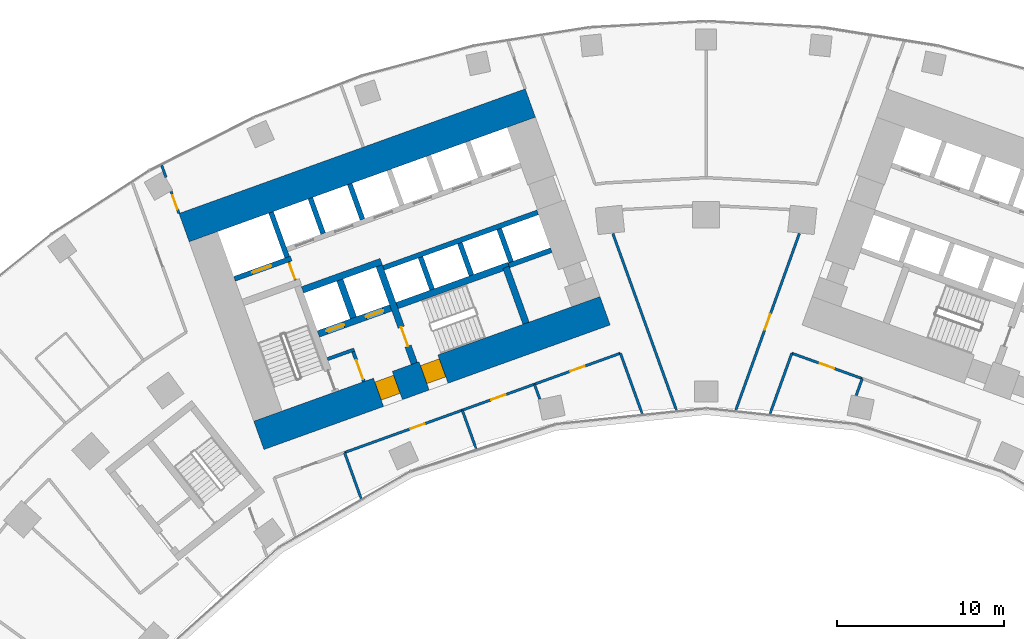
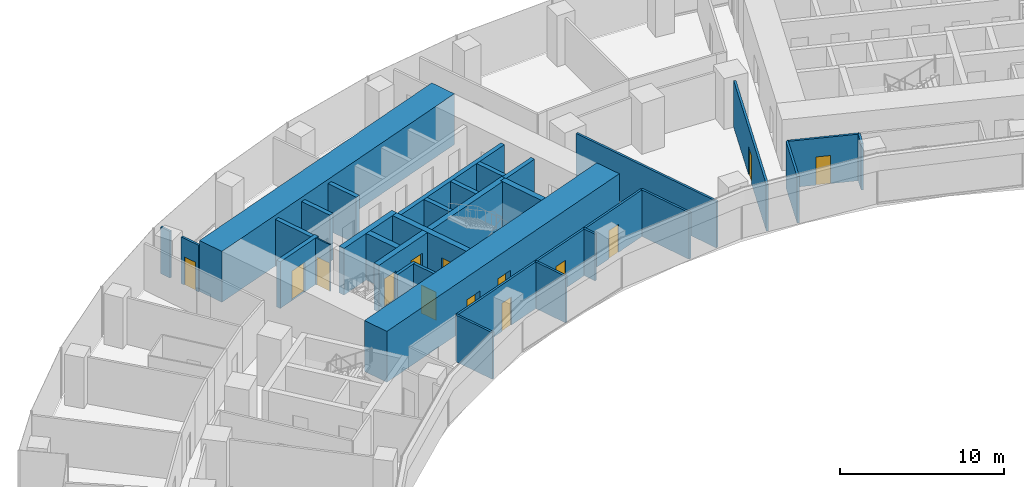
# One storey, part 15 of 21: 33 walls, 14 doors, 14 openings.
"""IFC4 building model written with IfcOpenShell, lengths in metres."""

from ifc_helpers import new_model, si_unit, direction, frame, frame_2d, origin, place, context, subcontext, project, spatial, rectangle, extrude, material, layer, layer_set, type_object, element, fill, save


model = new_model("IFC4")

# Units and contexts
model_context = context("Model", 3, precision=1e-05, world=origin(), true_north=direction((0.0, 1.0)))
body_context = subcontext(model_context, "Body", "Model", "MODEL_VIEW")
ifc_project = project(units=[si_unit("LENGTHUNIT", "METRE"), si_unit("AREAUNIT", "SQUARE_METRE"), si_unit("VOLUMEUNIT", "CUBIC_METRE"), si_unit("PLANEANGLEUNIT", "RADIAN"), si_unit("MASSUNIT", "GRAM", prefix="KILO")], contexts=[model_context])

# Site, building, storey
site_placement = place(None, origin())
site = spatial("IfcSite", under=ifc_project, at=site_placement, CompositionType="ELEMENT")
building_placement = place(site_placement, origin())
building = spatial("IfcBuilding", under=site, at=building_placement, Name="Stone Belt Terrace Tower", CompositionType="ELEMENT")
storey_placement = place(building_placement, frame((0.0, 0.0, 56.60009765625)))
storey = spatial("IfcBuildingStorey", under=building, at=storey_placement, Name="L13", CompositionType="ELEMENT", Elevation=56.60009765625)

# Wall, opening, door
ifc_material_1 = material(Name="Plasterboard partition")
ifc_layer_1 = layer(ifc_material_1, 0.10009765625)
ifc_layer_set_1 = layer_set([ifc_layer_1], Name="Core partition 100")
wall_type_1 = type_object("IfcWallType", Name="Core partition 100", PredefinedType="PARTITIONING", material=ifc_layer_set_1)
wall_1_placement = place(storey_placement, frame((-24.555908203125, 51.10400390625, 0.0), z_axis=(0.0, 0.0, 1.0), x_axis=(-0.338621735342, 0.94092258999, 0.0)))
wall_1 = element("IfcWall", 1, at=wall_1_placement, inside=storey, type_object=wall_type_1, Name="Core A wall", PredefinedType="PARTITIONING", context=body_context, shape_type="SweptSolid", body=[
    extrude(rectangle(XDim=1.14990234375, YDim=0.10009765625, at=frame_2d((0.574951171875, 0.0))), origin(), (0.0, 0.0, 1.0), 3.47998046875),
])
opening_1_placement = place(wall_1_placement, frame((0.050048828125, 0.0, 0.0)))
opening_1 = element("IfcOpeningElement", 2, at=opening_1_placement, cuts=wall_1, Name="Opening L13-C01", PredefinedType="OPENING", context=body_context, shape_type="SweptSolid", body=[
    extrude(rectangle(XDim=1.0, YDim=2.10009765625, at=frame_2d((0.5, 1.050048828125))), frame((0.0, 0.06005859375, 0.0), z_axis=(0.0, -1.0, 0.0), x_axis=(1.0, 0.0, 0.0)), (0.0, 0.0, 1.0), 0.1201171875),
])
ifc_material_2 = material(Name="Timber door leaf", Category="wood")
door_type_1 = type_object("IfcDoorType", Name="Core room door 1000", OperationType="SINGLE_SWING_LEFT", PredefinedType="DOOR", material=ifc_material_2)
door_1_placement = place(opening_1_placement, origin())
door_1 = element("IfcDoor", 3, at=door_1_placement, inside=storey, type_object=door_type_1, Name="Service lift lobby door core A", OperationType="SINGLE_SWING_LEFT", OverallHeight=2.10009765625, OverallWidth=1.0, PredefinedType="DOOR", context=body_context, shape_type="SweptSolid", body=[
    extrude(rectangle(XDim=1.0, YDim=2.10009765625, at=frame_2d((0.5, 1.050048828125))), frame((0.0, 0.02490234375, 0.0), z_axis=(0.0, -1.0, 0.0), x_axis=(1.0, 0.0, 0.0)), (0.0, 0.0, 1.0), 0.050048828125),
])
fill(opening_1, door_1)

# Wall, openings, doors
ifc_material_3 = material(Name="Concrete B80", Category="concrete")
ifc_layer_2 = layer(ifc_material_3, 1.800048828125)
ifc_layer_set_2 = layer_set([ifc_layer_2], Name="Core wall 1800 B80")
wall_type_2 = type_object("IfcWallType", Name="Core wall 1800 B80", PredefinedType="SHEAR", material=ifc_layer_set_2)
wall_2_placement = place(storey_placement, frame((-26.739501953125, 41.815673828125, 0.0), z_axis=(0.0, 0.0, 1.0), x_axis=(0.940921642213, 0.338624368902, 0.0)))
wall_2 = element("IfcWall", 4, at=wall_2_placement, inside=storey, type_object=wall_type_2, Name="Core A wall concave L13", PredefinedType="SHEAR", context=body_context, shape_type="SweptSolid", body=[
    extrude(rectangle(XDim=22.0, YDim=1.800048828125, at=frame_2d((11.0, 0.0))), origin(), (0.0, 0.0, 1.0), 3.7998046875),
])
opening_2_placement = place(wall_2_placement, frame((7.60009765625, 0.0, 0.0)))
opening_2 = element("IfcOpeningElement", 5, at=opening_2_placement, cuts=wall_2, Name="Opening L13-C05", PredefinedType="OPENING", context=body_context, shape_type="SweptSolid", body=[
    extrude(rectangle(XDim=1.199951171875, YDim=2.10009765625, at=frame_2d((0.60009765625, 1.050048828125))), frame((0.0, 0.909912109375, 0.0), z_axis=(0.0, -1.0, 0.0), x_axis=(1.0, 0.0, 0.0)), (0.0, 0.0, 1.0), 1.820068359375),
])
opening_3_placement = place(wall_2_placement, frame((10.5, 0.0, 0.0)))
opening_3 = element("IfcOpeningElement", 6, at=opening_3_placement, cuts=wall_2, Name="Opening L13-C07", PredefinedType="OPENING", context=body_context, shape_type="SweptSolid", body=[
    extrude(rectangle(XDim=1.199951171875, YDim=2.10009765625, at=frame_2d((0.60009765625, 1.050048828125))), frame((0.0, 0.909912109375, 0.0), z_axis=(0.0, -1.0, 0.0), x_axis=(1.0, 0.0, 0.0)), (0.0, 0.0, 1.0), 1.820068359375),
])
ifc_material_4 = material(Name="Steel door leaf", Category="steel")
door_type_2 = type_object("IfcDoorType", Name="Fire-fighting lobby door 1200", OperationType="SINGLE_SWING_LEFT", PredefinedType="DOOR", material=ifc_material_4)
door_2_placement = place(opening_2_placement, origin())
door_2 = element("IfcDoor", 7, at=door_2_placement, inside=storey, type_object=door_type_2, Name="Fire-fighting lobby door core A", OperationType="SINGLE_SWING_LEFT", OverallHeight=2.10009765625, OverallWidth=1.199951171875, PredefinedType="DOOR", context=body_context, shape_type="SweptSolid", body=[
    extrude(rectangle(XDim=1.199951171875, YDim=2.10009765625, at=frame_2d((0.60009765625, 1.050048828125))), frame((0.0, 0.655029296875, 0.0), z_axis=(0.0, -1.0, 0.0), x_axis=(1.0, 0.0, 0.0)), (0.0, 0.0, 1.0), 1.14990234375),
])
fill(opening_2, door_2)
door_type_3 = type_object("IfcDoorType", Name="Stair door 1200", OperationType="SINGLE_SWING_LEFT", PredefinedType="DOOR", material=ifc_material_4)
door_3_placement = place(opening_3_placement, origin())
door_3 = element("IfcDoor", 8, at=door_3_placement, inside=storey, type_object=door_type_3, Name="Stair 2 exit door core A", OperationType="SINGLE_SWING_RIGHT", OverallHeight=2.10009765625, OverallWidth=1.199951171875, PredefinedType="DOOR", context=body_context, shape_type="SweptSolid", body=[
    extrude(rectangle(XDim=1.199951171875, YDim=2.10009765625, at=frame_2d((0.60009765625, 1.050048828125))), frame((0.0, 0.655029296875, 0.0), z_axis=(0.0, -1.0, 0.0), x_axis=(1.0, 0.0, 0.0)), (0.0, 0.0, 1.0), 1.14990234375),
])
fill(opening_3, door_3)

# Walls
wall_3_placement = place(storey_placement, frame((-31.20947265625, 54.23583984375, 0.0), z_axis=(0.0, 0.0, 1.0), x_axis=(0.940922914687, 0.338620833112, 0.0)))
element("IfcWall", 9, at=wall_3_placement, inside=storey, type_object=wall_type_2, Name="Core A wall convex L13", PredefinedType="SHEAR", context=body_context, shape_type="SweptSolid", body=[
    extrude(rectangle(XDim=22.000244140625, YDim=1.800048828125, at=frame_2d((11.0, 0.0))), origin(), (0.0, 0.0, 1.0), 3.7998046875),
])
ifc_layer_3 = layer(ifc_material_3, 0.39990234375)
ifc_layer_set_3 = layer_set([ifc_layer_3], Name="Fire-fighting lift shaft wall 400")
wall_type_3 = type_object("IfcWallType", Name="Fire-fighting lift shaft wall 400", PredefinedType="SHEAR", material=ifc_layer_set_3)
wall_4_placement = place(storey_placement, frame((-24.130615234375, 50.512939453125, 0.0), z_axis=(0.0, 0.0, 1.0), x_axis=(0.94091168377, 0.338652038744, 0.0)))
element("IfcWall", 10, at=wall_4_placement, inside=storey, type_object=wall_type_3, Name="Core A wall", PredefinedType="SHEAR", context=body_context, shape_type="SweptSolid", body=[
    extrude(rectangle(XDim=5.000244140625, YDim=0.39990234375, at=frame_2d((2.5, 0.0))), origin(), (0.0, 0.0, 1.0), 3.47998046875),
])
wall_5_placement = place(storey_placement, frame((-21.0859375, 48.845458984375, 0.0), z_axis=(0.0, 0.0, 1.0), x_axis=(-0.338629416206, 0.940919825745, 0.0)))
element("IfcWall", 11, at=wall_5_placement, inside=storey, type_object=wall_type_3, Name="Core A wall", PredefinedType="SHEAR", context=body_context, shape_type="SweptSolid", body=[
    extrude(rectangle(XDim=2.400146484375, YDim=0.39990234375, at=frame_2d((1.2001953125, 0.0))), origin(), (0.0, 0.0, 1.0), 3.47998046875),
])

# Wall, opening, door
ifc_layer_4 = layer(ifc_material_3, 0.300048828125)
ifc_layer_set_4 = layer_set([ifc_layer_4], Name="Lift shaft wall 300")
wall_type_4 = type_object("IfcWallType", Name="Lift shaft wall 300", PredefinedType="SHEAR", material=ifc_layer_set_4)
wall_6_placement = place(storey_placement, frame((-28.195068359375, 51.17578125, 0.0), z_axis=(0.0, 0.0, 1.0), x_axis=(0.940901243567, 0.338681044427, 0.0)))
wall_6 = element("IfcWall", 12, at=wall_6_placement, inside=storey, type_object=wall_type_4, Name="Core A wall", PredefinedType="SHEAR", context=body_context, shape_type="SweptSolid", body=[
    extrude(rectangle(XDim=3.599853515625, YDim=0.300048828125, at=frame_2d((1.7998046875, 0.0))), origin(), (0.0, 0.0, 1.0), 3.47998046875),
])
opening_4_placement = place(wall_6_placement, frame((1.1201171875, 0.0, 0.0)))
opening_4 = element("IfcOpeningElement", 13, at=opening_4_placement, cuts=wall_6, Name="Opening L13-LD09", PredefinedType="OPENING", context=body_context, shape_type="SweptSolid", body=[
    extrude(rectangle(XDim=1.199951171875, YDim=2.199951171875, at=frame_2d((0.60009765625, 1.10009765625))), frame((0.0, 0.159912109375, 0.0), z_axis=(0.0, -1.0, 0.0), x_axis=(1.0, 0.0, 0.0)), (0.0, 0.0, 1.0), 0.320068359375),
])
ifc_material_5 = material(Name="Stainless steel door leaf", Category="steel")
door_type_4 = type_object("IfcDoorType", Name="Landing door 1200", OperationType="SLIDING_TO_LEFT", PredefinedType="DOOR", material=ifc_material_5)
door_4_placement = place(opening_4_placement, origin())
door_4 = element("IfcDoor", 14, at=door_4_placement, inside=storey, type_object=door_type_4, Name="Landing door SV1 core A", OperationType="SLIDING_TO_LEFT", OverallHeight=2.199951171875, OverallWidth=1.199951171875, PredefinedType="DOOR", context=body_context, shape_type="SweptSolid", body=[
    extrude(rectangle(XDim=1.199951171875, YDim=2.199951171875, at=frame_2d((0.60009765625, 1.10009765625))), frame((0.0, 0.02490234375, 0.0), z_axis=(0.0, -1.0, 0.0), x_axis=(1.0, 0.0, 0.0)), (0.0, 0.0, 1.0), 0.050048828125),
])
fill(opening_4, door_4)

# Walls
wall_7_placement = place(storey_placement, frame((-25.046875, 52.46826171875, 0.0), z_axis=(0.0, 0.0, 1.0), x_axis=(-0.338549588058, 0.940948551423, 0.0)))
element("IfcWall", 15, at=wall_7_placement, inside=storey, type_object=wall_type_4, Name="Core A wall", PredefinedType="SHEAR", context=body_context, shape_type="SweptSolid", body=[
    extrude(rectangle(XDim=2.849853515625, YDim=0.300048828125, at=frame_2d((1.4248046875, 0.0))), origin(), (0.0, 0.0, 1.0), 3.47998046875),
])
wall_8_placement = place(storey_placement, frame((-22.897705078125, 53.87939453125, 0.0), z_axis=(0.0, 0.0, 1.0), x_axis=(-0.338535034312, 0.940953787677, 0.0)))
element("IfcWall", 16, at=wall_8_placement, inside=storey, type_object=wall_type_4, Name="Core A wall", PredefinedType="SHEAR", context=body_context, shape_type="SweptSolid", body=[
    extrude(rectangle(XDim=2.25, YDim=0.300048828125, at=frame_2d((1.125, 0.0))), origin(), (0.0, 0.0, 1.0), 3.47998046875),
])
wall_9_placement = place(storey_placement, frame((-19.29052734375, 51.829833984375, 0.0), z_axis=(0.0, 0.0, 1.0), x_axis=(0.940925833398, 0.338612722803, 0.0)))
element("IfcWall", 17, at=wall_9_placement, inside=storey, type_object=wall_type_4, Name="Core A wall", PredefinedType="SHEAR", context=body_context, shape_type="SweptSolid", body=[
    extrude(rectangle(XDim=9.7998046875, YDim=0.300048828125, at=frame_2d((4.89990234375, 0.0))), origin(), (0.0, 0.0, 1.0), 3.47998046875),
])
wall_10_placement = place(storey_placement, frame((-20.54541015625, 54.72607421875, 0.0), z_axis=(0.0, 0.0, 1.0), x_axis=(-0.338569601369, 0.940941350472, 0.0)))
element("IfcWall", 18, at=wall_10_placement, inside=storey, type_object=wall_type_4, Name="Core A wall", PredefinedType="SHEAR", context=body_context, shape_type="SweptSolid", body=[
    extrude(rectangle(XDim=2.249755859375, YDim=0.300048828125, at=frame_2d((1.125, 0.0))), origin(), (0.0, 0.0, 1.0), 3.47998046875),
])
for number, where, z_axis, x_axis, name in (
    (19, (-16.38134765625, 50.53857421875, 0.0), (0.0, 0.0, 1.0), (-0.338681515556, 0.940901073982, 0.0), "Core A wall"),
    (20, (-14.029052734375, 51.38525390625, 0.0), (0.0, 0.0, 1.0), (-0.338681515556, 0.940901073982, 0.0), "Core A wall"),
):
    element("IfcWall", number, at=place(storey_placement, frame(where, z_axis=z_axis, x_axis=x_axis)), inside=storey, type_object=wall_type_4, Name=name, PredefinedType="SHEAR", context=body_context, shape_type="SweptSolid", body=[
        extrude(rectangle(XDim=2.050048828125, YDim=0.300048828125, at=frame_2d((1.02490234375, 0.0))), origin(), (0.0, 0.0, 1.0), 3.47998046875),
    ])
wall_11_placement = place(storey_placement, frame((-11.797119140625, 51.975830078125, 0.0), z_axis=(0.0, 0.0, 1.0), x_axis=(0.940910465161, 0.33865542451, 0.0)))
element("IfcWall", 21, at=wall_11_placement, inside=storey, type_object=wall_type_4, Name="Core A wall", PredefinedType="SHEAR", context=body_context, shape_type="SweptSolid", body=[
    extrude(rectangle(XDim=2.69970703125, YDim=0.300048828125, at=frame_2d((1.349853515625, 0.0))), origin(), (0.0, 0.0, 1.0), 3.47998046875),
])
wall_12_placement = place(storey_placement, frame((-11.659912109375, 52.184814453125, 0.0), z_axis=(0.0, 0.0, 1.0), x_axis=(-0.338670064856, 0.940905195634, 0.0)))
element("IfcWall", 22, at=wall_12_placement, inside=storey, type_object=wall_type_4, Name="Core A wall", PredefinedType="SHEAR", context=body_context, shape_type="SweptSolid", body=[
    extrude(rectangle(XDim=2.099853515625, YDim=0.300048828125, at=frame_2d((1.0498046875, 0.0))), origin(), (0.0, 0.0, 1.0), 3.47998046875),
])
ifc_material_6 = material(Name="Gypsum board partition")
ifc_layer_5 = layer(ifc_material_6, 0.14990234375)
ifc_layer_set_5 = layer_set([ifc_layer_5], Name="PARTITION 150 EI 60")
wall_type_5 = type_object("IfcWallType", Name="PARTITION 150 EI 60", PredefinedType="PARTITIONING", material=ifc_layer_set_5)
wall_13_placement = place(storey_placement, frame((-32.5458984375, 57.947998046875, 0.0), z_axis=(0.0, 0.0, 1.0), x_axis=(0.338960201827, -0.940800712998, 0.0)))
element("IfcWall", 23, at=wall_13_placement, inside=storey, type_object=wall_type_5, Name="L13/wall/i002", PredefinedType="PARTITIONING", context=body_context, shape_type="SweptSolid", body=[
    extrude(rectangle(XDim=0.754150390625, YDim=0.14990234375, at=frame_2d((0.376953125, 0.0))), origin(), (0.0, 0.0, 1.0), 3.47998046875),
])

# Wall, opening, door
wall_14_placement = place(storey_placement, frame((-31.98681640625, 56.39599609375, 0.0), z_axis=(0.0, 0.0, 1.0), x_axis=(0.338861945182, -0.940836107995, 0.0)))
wall_14 = element("IfcWall", 24, at=wall_14_placement, inside=storey, type_object=wall_type_5, Name="L13/wall/i003", PredefinedType="PARTITIONING", context=body_context, shape_type="SweptSolid", body=[
    extrude(rectangle(XDim=1.3955078125, YDim=0.14990234375, at=frame_2d((0.69775390625, 0.0))), origin(), (0.0, 0.0, 1.0), 3.47998046875),
])
opening_5_placement = place(wall_14_placement, frame((0.247802734375, 0.0, 0.0)))
opening_5 = element("IfcOpeningElement", 25, at=opening_5_placement, cuts=wall_14, Name="Opening D-A4-05", PredefinedType="OPENING", context=body_context, shape_type="SweptSolid", body=[
    extrude(rectangle(XDim=0.89990234375, YDim=2.10009765625, at=frame_2d((0.449951171875, 1.050048828125))), frame((0.0, 0.0849609375, 0.0), z_axis=(0.0, -1.0, 0.0), x_axis=(1.0, 0.0, 0.0)), (0.0, 0.0, 1.0), 0.169921875),
])
door_type_5 = type_object("IfcDoorType", Name="OFFICE DOOR 900 X 2100", OperationType="NOTDEFINED", PredefinedType="DOOR", material=ifc_material_2)
door_5_placement = place(opening_5_placement, origin())
door_5 = element("IfcDoor", 26, at=door_5_placement, inside=storey, type_object=door_type_5, Name="L13/door/i05", OperationType="SINGLE_SWING_RIGHT", OverallHeight=2.10009765625, OverallWidth=0.89990234375, PredefinedType="DOOR", context=body_context, shape_type="SweptSolid", body=[
    extrude(rectangle(XDim=0.89990234375, YDim=2.10009765625, at=frame_2d((0.449951171875, 1.050048828125))), frame((0.0, 0.02490234375, 0.0), z_axis=(0.0, -1.0, 0.0), x_axis=(1.0, 0.0, 0.0)), (0.0, 0.0, 1.0), 0.050048828125),
])
fill(opening_5, door_5)

# Walls
wall_15_placement = place(storey_placement, frame((-3.819580078125, 43.0986328125, 0.0), z_axis=(0.0, 0.0, 1.0), x_axis=(-0.338659002829, 0.940909177234, 0.0)))
element("IfcWall", 27, at=wall_15_placement, inside=storey, type_object=wall_type_5, Name="L13/wall/i007", PredefinedType="PARTITIONING", context=body_context, shape_type="SweptSolid", body=[
    extrude(rectangle(XDim=3.8603515625, YDim=0.14990234375, at=frame_2d((1.93017578125, 0.0))), origin(), (0.0, 0.0, 1.0), 3.47998046875),
])
wall_16_placement = place(storey_placement, frame((-5.574951171875, 53.88232421875, 0.0), z_axis=(0.0, 0.0, 1.0), x_axis=(0.338622486498, -0.940922319662, 0.0)))
element("IfcWall", 28, at=wall_16_placement, inside=storey, type_object=wall_type_5, Name="L13/wall/i009", PredefinedType="PARTITIONING", context=body_context, shape_type="SweptSolid", body=[
    extrude(rectangle(XDim=11.232177734375, YDim=0.14990234375, at=frame_2d((5.6162109375, 0.0))), origin(), (0.0, 0.0, 1.0), 3.47998046875),
])

# Wall, opening, door
wall_17_placement = place(storey_placement, frame((-14.572998046875, 43.324951171875, 0.0), z_axis=(0.0, 0.0, 1.0), x_axis=(-0.940921472482, -0.338624840528, 0.0)))
wall_17 = element("IfcWall", 29, at=wall_17_placement, inside=storey, type_object=wall_type_5, Name="L13/wall/i012", PredefinedType="PARTITIONING", context=body_context, shape_type="SweptSolid", body=[
    extrude(rectangle(XDim=7.49169921875, YDim=0.14990234375, at=frame_2d((3.745849609375, 0.0))), origin(), (0.0, 0.0, 1.0), 3.47998046875),
])
opening_6_placement = place(wall_17_placement, frame((2.39697265625, 0.0, 0.0)))
opening_6 = element("IfcOpeningElement", 30, at=opening_6_placement, cuts=wall_17, Name="Opening D-A4-02", PredefinedType="OPENING", context=body_context, shape_type="SweptSolid", body=[
    extrude(rectangle(XDim=0.89990234375, YDim=2.10009765625, at=frame_2d((0.449951171875, 1.050048828125))), frame((0.0, 0.0849609375, 0.0), z_axis=(0.0, -1.0, 0.0), x_axis=(1.0, 0.0, 0.0)), (0.0, 0.0, 1.0), 0.169921875),
])
door_6_placement = place(opening_6_placement, origin())
door_6 = element("IfcDoor", 31, at=door_6_placement, inside=storey, type_object=door_type_5, Name="L13/door/i02", OperationType="SINGLE_SWING_LEFT", OverallHeight=2.10009765625, OverallWidth=0.89990234375, PredefinedType="DOOR", context=body_context, shape_type="SweptSolid", body=[
    extrude(rectangle(XDim=0.89990234375, YDim=2.10009765625, at=frame_2d((0.449951171875, 1.050048828125))), frame((0.0, 0.02490234375, 0.0), z_axis=(0.0, -1.0, 0.0), x_axis=(1.0, 0.0, 0.0)), (0.0, 0.0, 1.0), 0.050048828125),
])
fill(opening_6, door_6)

wall_18_placement = place(storey_placement, frame((-10.259033203125, 44.876953125, 0.0), z_axis=(0.0, 0.0, 1.0), x_axis=(-0.940918547165, -0.338632968862, 0.0)))
wall_18 = element("IfcWall", 32, at=wall_18_placement, inside=storey, type_object=wall_type_5, Name="L13/wall/i013", PredefinedType="PARTITIONING", context=body_context, shape_type="SweptSolid", body=[
    extrude(rectangle(XDim=4.59765625, YDim=0.14990234375, at=frame_2d((2.298828125, 0.0))), origin(), (0.0, 0.0, 1.0), 3.47998046875),
])
opening_7_placement = place(wall_18_placement, frame((1.848876953125, 0.0, 0.0)))
opening_7 = element("IfcOpeningElement", 33, at=opening_7_placement, cuts=wall_18, Name="Opening D-A4-03", PredefinedType="OPENING", context=body_context, shape_type="SweptSolid", body=[
    extrude(rectangle(XDim=0.89990234375, YDim=2.10009765625, at=frame_2d((0.449951171875, 1.050048828125))), frame((0.0, 0.0849609375, 0.0), z_axis=(0.0, -1.0, 0.0), x_axis=(1.0, 0.0, 0.0)), (0.0, 0.0, 1.0), 0.169921875),
])
door_7_placement = place(opening_7_placement, origin())
door_7 = element("IfcDoor", 34, at=door_7_placement, inside=storey, type_object=door_type_5, Name="L13/door/i03", OperationType="SINGLE_SWING_RIGHT", OverallHeight=2.10009765625, OverallWidth=0.89990234375, PredefinedType="DOOR", context=body_context, shape_type="SweptSolid", body=[
    extrude(rectangle(XDim=0.89990234375, YDim=2.10009765625, at=frame_2d((0.449951171875, 1.050048828125))), frame((0.0, 0.02490234375, 0.0), z_axis=(0.0, -1.0, 0.0), x_axis=(1.0, 0.0, 0.0)), (0.0, 0.0, 1.0), 0.050048828125),
])
fill(opening_7, door_7)

wall_19_placement = place(storey_placement, frame((-5.125, 46.72509765625, 0.0), z_axis=(0.0, 0.0, 1.0), x_axis=(-0.940916999512, -0.33863726911, 0.0)))
wall_19 = element("IfcWall", 35, at=wall_19_placement, inside=storey, type_object=wall_type_5, Name="L13/wall/i014", PredefinedType="PARTITIONING", context=body_context, shape_type="SweptSolid", body=[
    extrude(rectangle(XDim=5.46923828125, YDim=0.14990234375, at=frame_2d((2.734619140625, 0.0))), origin(), (0.0, 0.0, 1.0), 3.47998046875),
])
opening_8_placement = place(wall_19_placement, frame((2.28466796875, 0.0, 0.0)))
opening_8 = element("IfcOpeningElement", 36, at=opening_8_placement, cuts=wall_19, Name="Opening D-A4-04", PredefinedType="OPENING", context=body_context, shape_type="SweptSolid", body=[
    extrude(rectangle(XDim=0.89990234375, YDim=2.10009765625, at=frame_2d((0.449951171875, 1.050048828125))), frame((0.0, 0.0849609375, 0.0), z_axis=(0.0, -1.0, 0.0), x_axis=(1.0, 0.0, 0.0)), (0.0, 0.0, 1.0), 0.169921875),
])
door_8_placement = place(opening_8_placement, origin())
door_8 = element("IfcDoor", 37, at=door_8_placement, inside=storey, type_object=door_type_5, Name="L13/door/i04", OperationType="SINGLE_SWING_RIGHT", OverallHeight=2.10009765625, OverallWidth=0.89990234375, PredefinedType="DOOR", context=body_context, shape_type="SweptSolid", body=[
    extrude(rectangle(XDim=0.89990234375, YDim=2.10009765625, at=frame_2d((0.449951171875, 1.050048828125))), frame((0.0, 0.02490234375, 0.0), z_axis=(0.0, -1.0, 0.0), x_axis=(1.0, 0.0, 0.0)), (0.0, 0.0, 1.0), 0.050048828125),
])
fill(opening_8, door_8)

# Walls
wall_20_placement = place(storey_placement, frame((-21.615966796875, 40.7900390625, 0.0), z_axis=(0.0, 0.0, 1.0), x_axis=(0.338556494842, -0.940946066361, 0.0)))
element("IfcWall", 38, at=wall_20_placement, inside=storey, type_object=wall_type_5, Name="L13/wall/i015", PredefinedType="PARTITIONING", context=body_context, shape_type="SweptSolid", body=[
    extrude(rectangle(XDim=2.917724609375, YDim=0.14990234375, at=frame_2d((1.458984375, 0.0))), origin(), (0.0, 0.0, 1.0), 3.47998046875),
])
wall_21_placement = place(storey_placement, frame((-14.5791015625, 43.322998046875, 0.0), z_axis=(0.0, 0.0, 1.0), x_axis=(0.338376794995, -0.94101070377, 0.0)))
element("IfcWall", 39, at=wall_21_placement, inside=storey, type_object=wall_type_5, Name="L13/wall/i016", PredefinedType="PARTITIONING", context=body_context, shape_type="SweptSolid", body=[
    extrude(rectangle(XDim=2.447265625, YDim=0.14990234375, at=frame_2d((1.2236328125, 0.0))), origin(), (0.0, 0.0, 1.0), 3.47998046875),
])
wall_22_placement = place(storey_placement, frame((-10.264892578125, 44.875, 0.0), z_axis=(0.0, 0.0, 1.0), x_axis=(0.33864567214, -0.940913975208, 0.0)))
element("IfcWall", 40, at=wall_22_placement, inside=storey, type_object=wall_type_5, Name="L13/wall/i017", PredefinedType="PARTITIONING", context=body_context, shape_type="SweptSolid", body=[
    extrude(rectangle(XDim=0.937255859375, YDim=0.14990234375, at=frame_2d((0.46875, 0.0))), origin(), (0.0, 0.0, 1.0), 3.47998046875),
])
wall_23_placement = place(storey_placement, frame((5.126953125, 46.73095703125, 0.0), z_axis=(0.0, 0.0, 1.0), x_axis=(-0.338659002829, -0.940909177234, 0.0)))
element("IfcWall", 41, at=wall_23_placement, inside=storey, type_object=wall_type_5, Name="L13/wall/i019", PredefinedType="PARTITIONING", context=body_context, shape_type="SweptSolid", body=[
    extrude(rectangle(XDim=3.8603515625, YDim=0.14990234375, at=frame_2d((1.93017578125, 0.0))), origin(), (0.0, 0.0, 1.0), 3.47998046875),
])

# Wall, opening, door
wall_24_placement = place(storey_placement, frame((1.771484375, 43.313720703125, 0.0), z_axis=(0.0, 0.0, 1.0), x_axis=(0.338622486498, 0.940922319662, 0.0)))
wall_24 = element("IfcWall", 42, at=wall_24_placement, inside=storey, type_object=wall_type_5, Name="L13/wall/i021", PredefinedType="PARTITIONING", context=body_context, shape_type="SweptSolid", body=[
    extrude(rectangle(XDim=11.232177734375, YDim=0.14990234375, at=frame_2d((5.6162109375, 0.0))), origin(), (0.0, 0.0, 1.0), 3.47998046875),
])
opening_9_placement = place(wall_24_placement, frame((5.1162109375, 0.0, 0.0)))
opening_9 = element("IfcOpeningElement", 43, at=opening_9_placement, cuts=wall_24, Name="Opening D-A4-28", PredefinedType="OPENING", context=body_context, shape_type="SweptSolid", body=[
    extrude(rectangle(XDim=1.0, YDim=2.10009765625, at=frame_2d((0.5, 1.050048828125))), frame((0.0, 0.0849609375, 0.0), z_axis=(0.0, -1.0, 0.0), x_axis=(1.0, 0.0, 0.0)), (0.0, 0.0, 1.0), 0.169921875),
])
ifc_material_7 = material(Name="Timber fire door leaf", Category="wood")
door_type_6 = type_object("IfcDoorType", Name="TENANCY ENTRANCE DOOR 1000 X 2100", OperationType="NOTDEFINED", PredefinedType="DOOR", material=ifc_material_7)
door_9_placement = place(opening_9_placement, origin())
door_9 = element("IfcDoor", 44, at=door_9_placement, inside=storey, type_object=door_type_6, Name="L13/door/i28", OperationType="SINGLE_SWING_LEFT", OverallHeight=2.10009765625, OverallWidth=1.0, PredefinedType="DOOR", context=body_context, shape_type="SweptSolid", body=[
    extrude(rectangle(XDim=1.0, YDim=2.10009765625, at=frame_2d((0.5, 1.050048828125))), frame((0.0, 0.02490234375, 0.0), z_axis=(0.0, -1.0, 0.0), x_axis=(1.0, 0.0, 0.0)), (0.0, 0.0, 1.0), 0.050048828125),
])
fill(opening_9, door_9)

wall_25_placement = place(storey_placement, frame((9.341064453125, 45.2080078125, 0.0), z_axis=(0.0, 0.0, 1.0), x_axis=(-0.940911725221, 0.338651923575, 0.0)))
wall_25 = element("IfcWall", 45, at=wall_25_placement, inside=storey, type_object=wall_type_5, Name="L13/wall/i030", PredefinedType="PARTITIONING", context=body_context, shape_type="SweptSolid", body=[
    extrude(rectangle(XDim=4.479736328125, YDim=0.14990234375, at=frame_2d((2.23974609375, 0.0))), origin(), (0.0, 0.0, 1.0), 3.47998046875),
])
opening_10_placement = place(wall_25_placement, frame((1.789794921875, 0.0, 0.0)))
opening_10 = element("IfcOpeningElement", 46, at=opening_10_placement, cuts=wall_25, Name="Opening D-A4-07", PredefinedType="OPENING", context=body_context, shape_type="SweptSolid", body=[
    extrude(rectangle(XDim=0.89990234375, YDim=2.10009765625, at=frame_2d((0.449951171875, 1.050048828125))), frame((0.0, 0.0849609375, 0.0), z_axis=(0.0, -1.0, 0.0), x_axis=(1.0, 0.0, 0.0)), (0.0, 0.0, 1.0), 0.169921875),
])
door_10_placement = place(opening_10_placement, origin())
door_10 = element("IfcDoor", 47, at=door_10_placement, inside=storey, type_object=door_type_5, Name="L13/door/i07", OperationType="SINGLE_SWING_RIGHT", OverallHeight=2.10009765625, OverallWidth=0.89990234375, PredefinedType="DOOR", context=body_context, shape_type="SweptSolid", body=[
    extrude(rectangle(XDim=0.89990234375, YDim=2.10009765625, at=frame_2d((0.449951171875, 1.050048828125))), frame((0.0, 0.02490234375, 0.0), z_axis=(0.0, -1.0, 0.0), x_axis=(1.0, 0.0, 0.0)), (0.0, 0.0, 1.0), 0.050048828125),
])
fill(opening_10, door_10)

# Walls
wall_26_placement = place(storey_placement, frame((9.3349609375, 45.2099609375, 0.0), z_axis=(0.0, 0.0, 1.0), x_axis=(-0.338671110555, -0.940904819243, 0.0)))
element("IfcWall", 48, at=wall_26_placement, inside=storey, type_object=wall_type_5, Name="L13/wall/i035", PredefinedType="PARTITIONING", context=body_context, shape_type="SweptSolid", body=[
    extrude(rectangle(XDim=1.07275390625, YDim=0.14990234375, at=frame_2d((0.536376953125, 0.0))), origin(), (0.0, 0.0, 1.0), 3.47998046875),
])
ifc_material_8 = material(Name="Concrete masonry block", Category="masonry")
ifc_layer_6 = layer(ifc_material_8, 0.199951171875)
ifc_layer_set_6 = layer_set([ifc_layer_6], Name="Rated lobby wall 200")
wall_type_6 = type_object("IfcWallType", Name="Rated lobby wall 200", PredefinedType="PARTITIONING", material=ifc_layer_set_6)
wall_27_placement = place(storey_placement, frame((-22.640625, 46.373046875, 0.0), z_axis=(0.0, 0.0, 1.0), x_axis=(0.940966110313, 0.338500781747, 0.0)))
element("IfcWall", 49, at=wall_27_placement, inside=storey, type_object=wall_type_6, Name="Core A wall", PredefinedType="PARTITIONING", context=body_context, shape_type="SweptSolid", body=[
    extrude(rectangle(XDim=1.699951171875, YDim=0.199951171875, at=frame_2d((0.85009765625, 0.0))), origin(), (0.0, 0.0, 1.0), 3.47998046875),
])

# Wall, opening, door
wall_28_placement = place(storey_placement, frame((-20.4580078125, 45.032958984375, 0.0), z_axis=(0.0, 0.0, 1.0), x_axis=(-0.338573865316, 0.940939816208, 0.0)))
wall_28 = element("IfcWall", 50, at=wall_28_placement, inside=storey, type_object=wall_type_6, Name="Core A wall", PredefinedType="PARTITIONING", context=body_context, shape_type="SweptSolid", body=[
    extrude(rectangle(XDim=1.900146484375, YDim=0.199951171875, at=frame_2d((0.9501953125, 0.0))), origin(), (0.0, 0.0, 1.0), 3.47998046875),
])
opening_11_placement = place(wall_28_placement, frame((0.14990234375, 0.0, 0.0)))
opening_11 = element("IfcOpeningElement", 51, at=opening_11_placement, cuts=wall_28, Name="Opening L13-C04", PredefinedType="OPENING", context=body_context, shape_type="SweptSolid", body=[
    extrude(rectangle(XDim=1.199951171875, YDim=2.10009765625, at=frame_2d((0.60009765625, 1.050048828125))), frame((0.0, 0.10986328125, 0.0), z_axis=(0.0, -1.0, 0.0), x_axis=(1.0, 0.0, 0.0)), (0.0, 0.0, 1.0), 0.219970703125),
])
door_11_placement = place(opening_11_placement, origin())
door_11 = element("IfcDoor", 52, at=door_11_placement, inside=storey, type_object=door_type_3, Name="Stair airlock door core A", OperationType="SINGLE_SWING_LEFT", OverallHeight=2.10009765625, OverallWidth=1.199951171875, PredefinedType="DOOR", context=body_context, shape_type="SweptSolid", body=[
    extrude(rectangle(XDim=1.199951171875, YDim=2.10009765625, at=frame_2d((0.60009765625, 1.050048828125))), frame((0.0, 0.02490234375, 0.0), z_axis=(0.0, -1.0, 0.0), x_axis=(1.0, 0.0, 0.0)), (0.0, 0.0, 1.0), 0.050048828125),
])
fill(opening_11, door_11)

# Wall, openings, doors
ifc_layer_7 = layer(ifc_material_3, 0.39990234375)
ifc_layer_set_7 = layer_set([ifc_layer_7], Name="Stair enclosure wall 400")
wall_type_7 = type_object("IfcWallType", Name="Stair enclosure wall 400", PredefinedType="SHEAR", material=ifc_layer_set_7)
wall_29_placement = place(storey_placement, frame((-23.182373046875, 47.87841796875, 0.0), z_axis=(0.0, 0.0, 1.0), x_axis=(0.940921101762, 0.338625870628, 0.0)))
wall_29 = element("IfcWall", 53, at=wall_29_placement, inside=storey, type_object=wall_type_7, Name="Core A wall", PredefinedType="SHEAR", context=body_context, shape_type="SweptSolid", body=[
    extrude(rectangle(XDim=12.10009765625, YDim=0.39990234375, at=frame_2d((6.050048828125, 0.0))), origin(), (0.0, 0.0, 1.0), 3.47998046875),
])
opening_12_placement = place(wall_29_placement, frame((0.52001953125, 0.0, 0.0)))
opening_12 = element("IfcOpeningElement", 54, at=opening_12_placement, cuts=wall_29, Name="Opening L13-LD07", PredefinedType="OPENING", context=body_context, shape_type="SweptSolid", body=[
    extrude(rectangle(XDim=1.10009765625, YDim=2.199951171875, at=frame_2d((0.550048828125, 1.10009765625))), frame((0.0, 0.2099609375, 0.0), z_axis=(0.0, -1.0, 0.0), x_axis=(1.0, 0.0, 0.0)), (0.0, 0.0, 1.0), 0.419921875),
])
opening_13_placement = place(wall_29_placement, frame((3.02001953125, 0.0, 0.0)))
opening_13 = element("IfcOpeningElement", 55, at=opening_13_placement, cuts=wall_29, Name="Opening L13-LD08", PredefinedType="OPENING", context=body_context, shape_type="SweptSolid", body=[
    extrude(rectangle(XDim=1.10009765625, YDim=2.199951171875, at=frame_2d((0.550048828125, 1.10009765625))), frame((0.0, 0.2099609375, 0.0), z_axis=(0.0, -1.0, 0.0), x_axis=(1.0, 0.0, 0.0)), (0.0, 0.0, 1.0), 0.419921875),
])
door_type_7 = type_object("IfcDoorType", Name="Landing door 1100", OperationType="SLIDING_TO_LEFT", PredefinedType="DOOR", material=ifc_material_5)
door_12_placement = place(opening_12_placement, origin())
door_12 = element("IfcDoor", 56, at=door_12_placement, inside=storey, type_object=door_type_7, Name="Landing door FF1 core A", OperationType="SLIDING_TO_LEFT", OverallHeight=2.199951171875, OverallWidth=1.10009765625, PredefinedType="DOOR", context=body_context, shape_type="SweptSolid", body=[
    extrude(rectangle(XDim=1.10009765625, YDim=2.199951171875, at=frame_2d((0.550048828125, 1.10009765625))), frame((0.0, 0.02490234375, 0.0), z_axis=(0.0, -1.0, 0.0), x_axis=(1.0, 0.0, 0.0)), (0.0, 0.0, 1.0), 0.050048828125),
])
fill(opening_12, door_12)
door_13_placement = place(opening_13_placement, origin())
door_13 = element("IfcDoor", 57, at=door_13_placement, inside=storey, type_object=door_type_7, Name="Landing door FF2 core A", OperationType="SLIDING_TO_LEFT", OverallHeight=2.199951171875, OverallWidth=1.10009765625, PredefinedType="DOOR", context=body_context, shape_type="SweptSolid", body=[
    extrude(rectangle(XDim=1.10009765625, YDim=2.199951171875, at=frame_2d((0.550048828125, 1.10009765625))), frame((0.0, 0.02490234375, 0.0), z_axis=(0.0, -1.0, 0.0), x_axis=(1.0, 0.0, 0.0)), (0.0, 0.0, 1.0), 0.050048828125),
])
fill(opening_13, door_13)

# Wall, opening, door
wall_30_placement = place(storey_placement, frame((-17.447021484375, 46.116455078125, 0.0), z_axis=(0.0, 0.0, 1.0), x_axis=(-0.33860791464, 0.940927563707, 0.0)))
wall_30 = element("IfcWall", 58, at=wall_30_placement, inside=storey, type_object=wall_type_7, Name="Core A wall", PredefinedType="SHEAR", context=body_context, shape_type="SweptSolid", body=[
    extrude(rectangle(XDim=6.199951171875, YDim=0.39990234375, at=frame_2d((3.10009765625, 0.0))), origin(), (0.0, 0.0, 1.0), 3.47998046875),
])
opening_14_placement = place(wall_30_placement, frame((1.10009765625, 0.0, 0.0)))
opening_14 = element("IfcOpeningElement", 59, at=opening_14_placement, cuts=wall_30, Name="Opening L13-C06", PredefinedType="OPENING", context=body_context, shape_type="SweptSolid", body=[
    extrude(rectangle(XDim=1.199951171875, YDim=2.10009765625, at=frame_2d((0.60009765625, 1.050048828125))), frame((0.0, 0.2099609375, 0.0), z_axis=(0.0, -1.0, 0.0), x_axis=(1.0, 0.0, 0.0)), (0.0, 0.0, 1.0), 0.419921875),
])
door_14_placement = place(opening_14_placement, origin())
door_14 = element("IfcDoor", 60, at=door_14_placement, inside=storey, type_object=door_type_3, Name="Stair 2 door core A", OperationType="SINGLE_SWING_LEFT", OverallHeight=2.10009765625, OverallWidth=1.199951171875, PredefinedType="DOOR", context=body_context, shape_type="SweptSolid", body=[
    extrude(rectangle(XDim=1.199951171875, YDim=2.10009765625, at=frame_2d((0.60009765625, 1.050048828125))), frame((0.0, 0.02490234375, 0.0), z_axis=(0.0, -1.0, 0.0), x_axis=(1.0, 0.0, 0.0)), (0.0, 0.0, 1.0), 0.050048828125),
])
fill(opening_14, door_14)

# Wall
wall_31_placement = place(storey_placement, frame((-10.766357421875, 48.520751953125, 0.0), z_axis=(0.0, 0.0, 1.0), x_axis=(-0.338626928157, 0.94092072117, 0.0)))
element("IfcWall", 61, at=wall_31_placement, inside=storey, type_object=wall_type_7, Name="Core A wall", PredefinedType="SHEAR", context=body_context, shape_type="SweptSolid", body=[
    extrude(rectangle(XDim=3.550048828125, YDim=0.39990234375, at=frame_2d((1.77490234375, 0.0))), origin(), (0.0, 0.0, 1.0), 3.47998046875),
])

save(model, "model.ifc")
